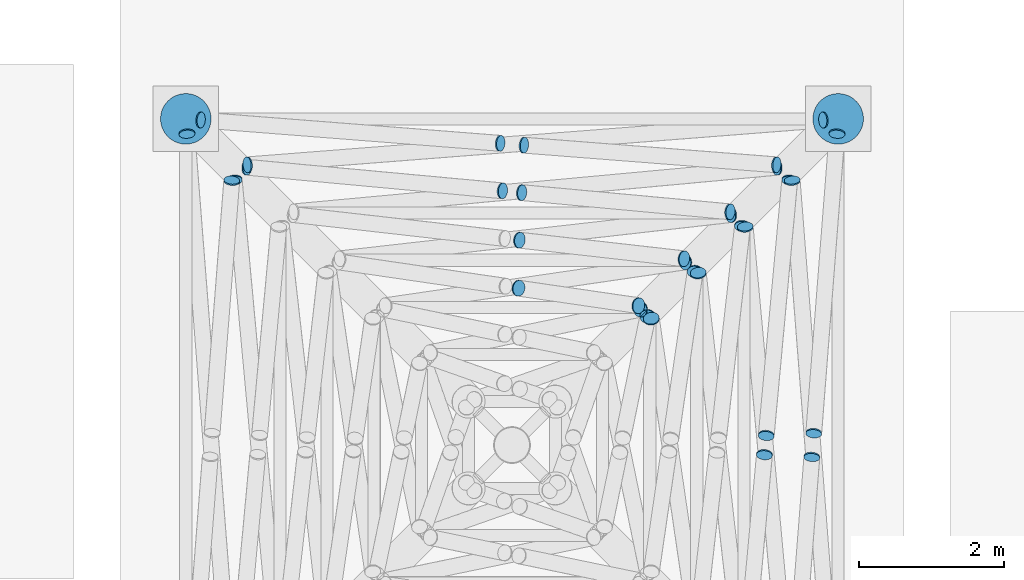
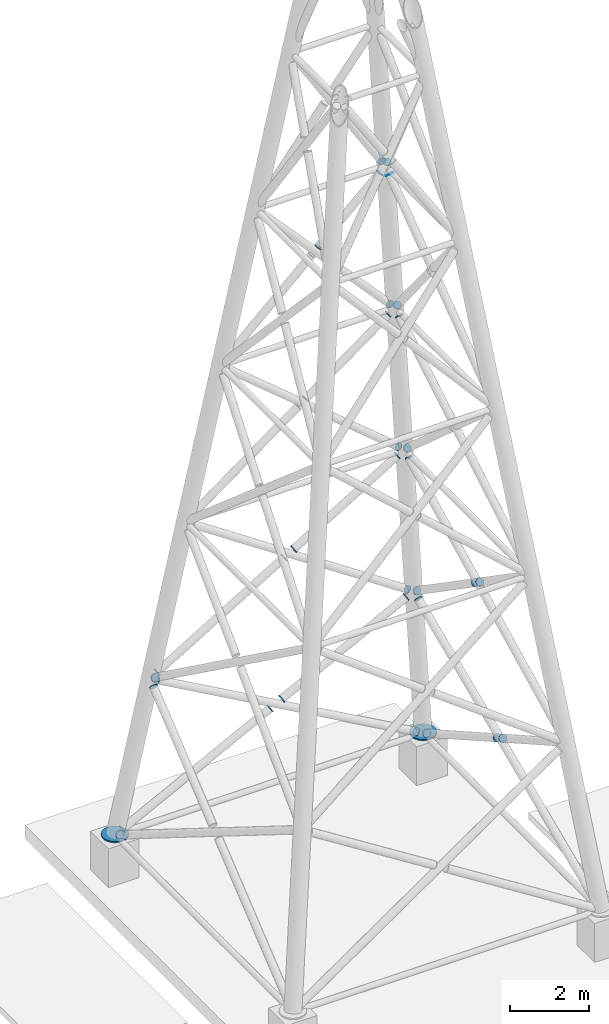
# One storey, part 10 of 10: 36 discrete accessories.
"""IFC4 building model written with IfcOpenShell, lengths in metres."""

from ifc_helpers import new_model, si_unit, direction, frame, origin, origin_2d, place, context, subcontext, project, spatial, circle, extrude, material, material_profile, profile_set, type_object, element, save


model = new_model("IFC4")

# Units and contexts
model_context = context("Model", 3, precision=1e-05, world=origin(), true_north=direction((0.0, 1.0)))
body_context = subcontext(model_context, "Body", "Model", "MODEL_VIEW")
ifc_project = project(units=[si_unit("LENGTHUNIT", "METRE"), si_unit("AREAUNIT", "SQUARE_METRE"), si_unit("VOLUMEUNIT", "CUBIC_METRE"), si_unit("PLANEANGLEUNIT", "RADIAN"), si_unit("MASSUNIT", "GRAM", prefix="KILO")], contexts=[model_context])

# Site, building, storey
site_placement = place(None, origin())
site = spatial("IfcSite", under=ifc_project, at=site_placement, CompositionType="ELEMENT")
building_placement = place(site_placement, origin())
building = spatial("IfcBuilding", under=site, at=building_placement, Name="Dhurran Vertical Campus", CompositionType="ELEMENT")
storey_placement = place(building_placement, frame((0.0, 0.0, 345.89990234375)))
storey = spatial("IfcBuildingStorey", under=building, at=storey_placement, Name="Upper Roof", CompositionType="ELEMENT", Elevation=345.89990234375)

# Discrete accessories
ifc_material_1 = material(Name="Steel S355J2", Category="steel")
ifc_material_profile_1 = material_profile(ifc_material_1, circle(Radius=0.348388671875, at=origin_2d()), Name="Mast base plate 697 x 40")
ifc_profile_set_1 = profile_set([ifc_material_profile_1], Name="Steel S355J2")
discrete_accessory_type_1 = type_object("IfcDiscreteAccessoryType", Name="Mast base plate 697 x 40", PredefinedType="USERDEFINED", material=ifc_profile_set_1)
for number, where, z_axis, x_axis, name in (
    (1, (4.5, 4.5, 1.60009765625), (0.0, 0.0, 1.0), (1.0, 0.0, 0.0), "EC2 mast leg 3 base plate"),
    (2, (-4.5, 4.5, 1.60009765625), (0.0, 0.0, 1.0), (1.0, 0.0, 0.0), "EC2 mast leg 4 base plate"),
):
    element("IfcDiscreteAccessory", number, at=place(storey_placement, frame(where, z_axis=z_axis, x_axis=x_axis)), inside=storey, type_object=discrete_accessory_type_1, Name=name, ObjectType="BASE PLATE", PredefinedType="USERDEFINED", context=body_context, shape_type="SweptSolid", body=[
        extrude(circle(Radius=0.348388671875, at=origin_2d()), origin(), (0.0, 0.0, 1.0), 0.0400390625),
    ])
ifc_material_2 = material(Name="Steel S355J2", Category="steel")
ifc_material_profile_2 = material_profile(ifc_material_2, circle(Radius=0.109619140625, at=origin_2d()), Name="Tube end cap 219 x 20")
ifc_profile_set_2 = profile_set([ifc_material_profile_2], Name="Steel S355J2")
discrete_accessory_type_2 = type_object("IfcDiscreteAccessoryType", Name="Tube end cap 219 x 20", PredefinedType="USERDEFINED", material=ifc_profile_set_2)
for number, where, z_axis, x_axis, name in (
    (3, (3.86669921875, 3.63720703125, 6.47265625), (-0.073301666614, 0.855186110494, 0.513111666296), (-0.996346649042, -0.085401141346, 0.0), "EC1 mast diag 0 004 capB"),
    (4, (4.4833984375, 4.287353515625, 1.7275390625), (0.061134928182, 0.855888994553, -0.513533396732), (-0.997458699831, 0.071247049988, 0.0), "EC1 mast diag 0 005 capA"),
    (5, (4.1630859375, 0.17236328125, 4.19140625), (-0.060750157495, -0.85050220493, 0.522451354457), (0.997458699831, -0.071247049988, 0.0), "EC1 mast diag 0 005 capB"),
    (6, (4.13623046875, -0.17236328125, 4.39794921875), (0.073301666614, 0.855186110494, -0.513111666296), (-0.996346649042, 0.085401141346, 0.0), "EC1 mast diag 0 006 capA"),
    (7, (4.287353515625, 4.4833984375, 1.7275390625), (0.855888994553, 0.061134928182, -0.513533396732), (-0.071247049988, 0.997458699831, 0.0), "EC1 mast diag 0 007 capA"),
    (8, (-3.63720703125, 3.86669921875, 6.47265625), (-0.855186110494, -0.073301666614, 0.513111666296), (0.085401141346, -0.996346649042, 0.0), "EC1 mast diag 0 007 capB"),
    (9, (-4.287353515625, 4.4833984375, 1.7275390625), (-0.855888994553, 0.061134928182, -0.513533396732), (-0.071247049988, -0.997458699831, 0.0), "EC1 mast diag 0 008 capA"),
    (10, (-0.17236328125, 4.1630859375, 4.19140625), (0.85050220493, -0.060750157495, 0.522451354457), (0.071247049988, 0.997458699831, 0.0), "EC1 mast diag 0 008 capB"),
    (11, (0.17236328125, 4.13623046875, 4.39794921875), (-0.855186110494, 0.073301666614, -0.513111666296), (-0.085401141346, -0.996346649042, 0.0), "EC1 mast diag 0 009 capA"),
    (12, (3.63720703125, 3.86669921875, 6.47265625), (0.855186110494, -0.073301666614, 0.513111666296), (0.085401141346, 0.996346649042, 0.0), "EC1 mast diag 0 009 capB"),
    (13, (-4.4833984375, 4.287353515625, 1.7275390625), (-0.061134928182, 0.855888994553, -0.513533396732), (-0.997458699831, -0.071247049988, 0.0), "EC1 mast diag 0 010 capA"),
    (14, (-3.86669921875, 3.63720703125, 6.47265625), (0.073301666614, 0.855186110494, 0.513111666296), (-0.996346649042, 0.085401141346, 0.0), "EC1 mast diag 0 012 capB"),
    (15, (3.218505859375, 2.997802734375, 11.456787109375), (-0.0731163822, 0.816466267899, 0.572744993899), (-0.996014155971, -0.08919529755, 0.0), "EC1 mast diag 1 016 capB"),
    (16, (3.831298828125, 3.64794921875, 6.743408203125), (0.085220226656, 0.815679312277, -0.572192950404), (-0.994586492849, 0.103912021641, 0.0), "EC1 mast diag 1 017 capA"),
    (17, (3.508056640625, 0.140869140625, 9.230712890625), (-0.0731163822, -0.816466267899, 0.572744993899), (0.996014155971, -0.08919529755, 0.0), "EC1 mast diag 1 017 capB"),
    (18, (3.48193359375, -0.140869140625, 9.430419921875), (0.0731163822, 0.816466267899, -0.572744993899), (-0.996014155971, 0.08919529755, 0.0), "EC1 mast diag 1 018 capA"),
    (19, (3.64794921875, 3.831298828125, 6.743408203125), (0.815679312277, 0.085220226656, -0.572192950404), (-0.103912021641, 0.994586492849, 0.0), "EC1 mast diag 1 019 capA"),
    (20, (-3.64794921875, 3.831298828125, 6.743408203125), (-0.815679312277, 0.085220226656, -0.572192950404), (-0.103912021641, -0.994586492849, 0.0), "EC1 mast diag 1 020 capA"),
    (21, (-0.140869140625, 3.508056640625, 9.230712890625), (0.816466267899, -0.0731163822, 0.572744993899), (0.08919529755, 0.996014155971, 0.0), "EC1 mast diag 1 020 capB"),
    (22, (0.140869140625, 3.48193359375, 9.430419921875), (-0.816466267899, 0.0731163822, -0.572744993899), (-0.08919529755, -0.996014155971, 0.0), "EC1 mast diag 1 021 capA"),
    (23, (2.997802734375, 3.218505859375, 11.456787109375), (0.816466267899, -0.0731163822, 0.572744993899), (0.08919529755, 0.996014155971, 0.0), "EC1 mast diag 1 021 capB"),
    (24, (-3.831298828125, 3.64794921875, 6.743408203125), (-0.085220226656, 0.815679312277, -0.572192950404), (-0.994586492849, -0.103912021641, 0.0), "EC1 mast diag 1 022 capA"),
    (25, (2.571044921875, 2.36328125, 16.4375), (-0.085608099119, 0.746013435179, 0.66040533606), (-0.993480071526, -0.114005909847, 0.0), "EC1 mast diag 2 028 capB"),
):
    element("IfcDiscreteAccessory", number, at=place(storey_placement, frame(where, z_axis=z_axis, x_axis=x_axis)), inside=storey, type_object=discrete_accessory_type_2, Name=name, ObjectType="END CAP", PredefinedType="USERDEFINED", context=body_context, shape_type="SweptSolid", body=[
        extrude(circle(Radius=0.109619140625, at=origin_2d()), origin(), (0.0, 0.0, 1.0), 0.02001953125),
    ])
for number, where, z_axis, x_axis, name in (
    (26, (3.178955078125, 3.01318359375, 11.7626953125), (0.084831348933, 0.751363376263, -0.654413263197), (-0.993686724241, 0.112190436608, 0.0), "EC1 mast diag 2 029 capA"),
    (27, (3.01318359375, 3.178955078125, 11.7626953125), (0.751363376263, 0.084831348933, -0.654413263197), (-0.112190436608, 0.993686724241, 0.0), "EC1 mast diag 2 031 capA"),
):
    element("IfcDiscreteAccessory", number, at=place(storey_placement, frame(where, z_axis=z_axis, x_axis=x_axis)), inside=storey, type_object=discrete_accessory_type_2, Name=name, ObjectType="END CAP", PredefinedType="USERDEFINED", context=body_context, shape_type="SweptSolid", body=[
        extrude(circle(Radius=0.109619140625, at=origin_2d()), origin(), (0.0, 0.0, 1.0), 0.020263671875),
    ])
for number, where, z_axis, x_axis, name in (
    (28, (0.10888671875, 2.825927734375, 14.4775390625), (-0.746013435179, 0.085608099119, -0.66040533606), (-0.114005909847, -0.993480071526, 0.0), "EC1 mast diag 2 033 capA"),
    (29, (2.36328125, 2.571044921875, 16.4375), (0.746013435179, -0.085608099119, 0.66040533606), (0.114005909847, 0.993480071526, 0.0), "EC1 mast diag 2 033 capB"),
    (30, (1.924072265625, 1.735595703125, 21.415283203125), (-0.097728262603, 0.659665772572, 0.74517800235), (-0.989203462354, -0.146548661089, 0.0), "EC1 mast diag 3 040 capB"),
    (31, (2.52587890625, 2.385498046875, 16.784912109375), (0.097728262603, 0.659665772572, -0.74517800235), (-0.989203462354, 0.146548661089, 0.0), "EC1 mast diag 3 041 capA"),
    (32, (2.385498046875, 2.52587890625, 16.784912109375), (0.659665772572, 0.097728262603, -0.74517800235), (-0.146548661089, 0.989203462354, 0.0), "EC1 mast diag 3 043 capA"),
    (33, (0.095458984375, 2.16357421875, 19.572509765625), (-0.659665772572, 0.097728262603, -0.74517800235), (-0.146548661089, -0.989203462354, 0.0), "EC1 mast diag 3 045 capA"),
    (34, (1.735595703125, 1.924072265625, 21.415283203125), (0.659665772572, -0.097728262603, 0.74517800235), (0.146548661089, 0.989203462354, 0.0), "EC1 mast diag 3 045 capB"),
    (35, (1.872802734375, 1.768310546875, 21.80908203125), (0.110026423098, 0.525681799245, -0.843535910417), (-0.978790625253, 0.204863154123, 0.0), "EC1 mast diag 4 053 capA"),
    (36, (1.768310546875, 1.872802734375, 21.80908203125), (0.525681799245, 0.110026423098, -0.843535910417), (-0.204863154123, 0.978790625253, 0.0), "EC1 mast diag 4 055 capA"),
):
    element("IfcDiscreteAccessory", number, at=place(storey_placement, frame(where, z_axis=z_axis, x_axis=x_axis)), inside=storey, type_object=discrete_accessory_type_2, Name=name, ObjectType="END CAP", PredefinedType="USERDEFINED", context=body_context, shape_type="SweptSolid", body=[
        extrude(circle(Radius=0.109619140625, at=origin_2d()), origin(), (0.0, 0.0, 1.0), 0.02001953125),
    ])

save(model, "model.ifc")
